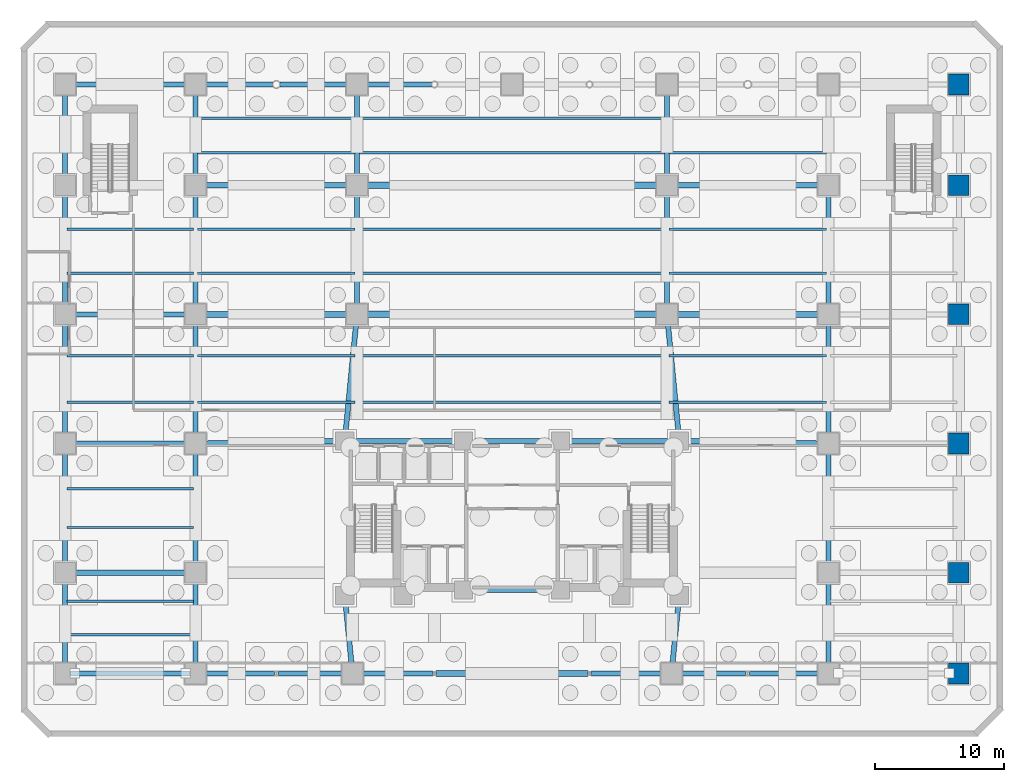
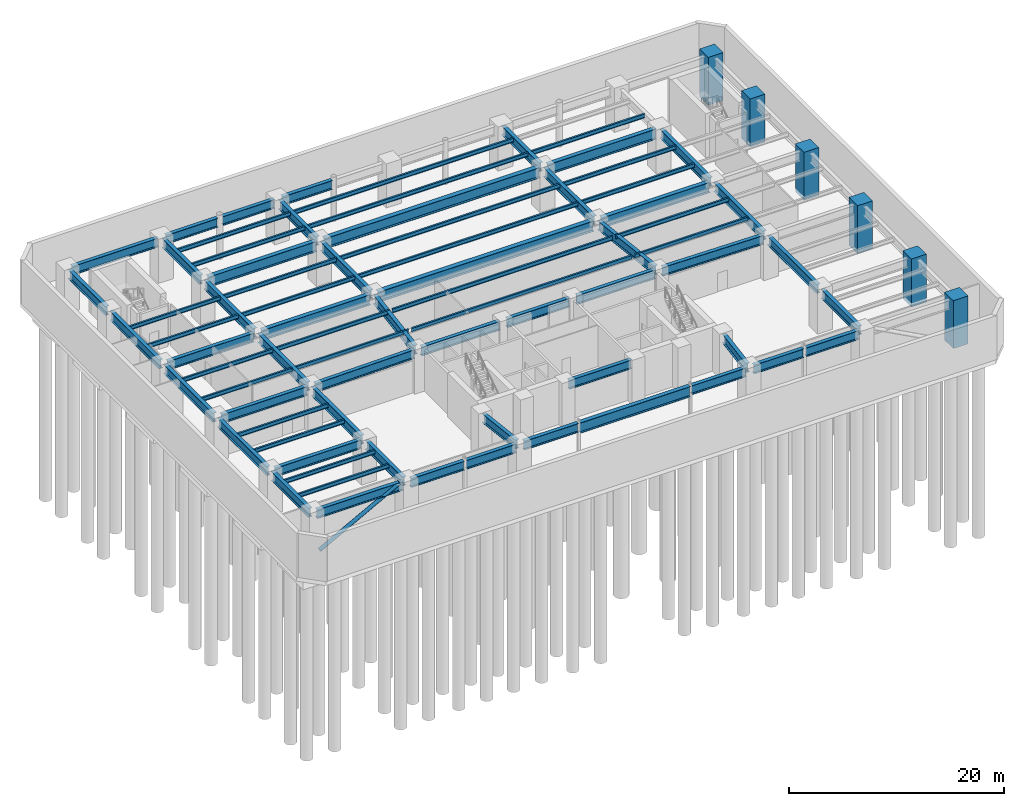
# One storey, part 6 of 15: 74 beams, 6 columns, 1 member.
"""IFC4 building model written with IfcOpenShell, lengths in metres."""

from ifc_helpers import new_model, si_unit, direction, frame, origin, origin_2d, place, context, subcontext, project, spatial, rectangle, hollow_circle, i_section, extrude, material, material_profile, profile_set, type_object, element, save


model = new_model("IFC4")

# Units and contexts
model_context = context("Model", 3, precision=1e-05, world=origin(), true_north=direction((0.0, 1.0)))
body_context = subcontext(model_context, "Body", "Model", "MODEL_VIEW")
ifc_project = project(units=[si_unit("LENGTHUNIT", "METRE"), si_unit("AREAUNIT", "SQUARE_METRE"), si_unit("VOLUMEUNIT", "CUBIC_METRE"), si_unit("PLANEANGLEUNIT", "RADIAN"), si_unit("MASSUNIT", "GRAM", prefix="KILO")], contexts=[model_context])

# Site, building, storey
site_placement = place(None, origin())
site = spatial("IfcSite", under=ifc_project, at=site_placement, CompositionType="ELEMENT")
building_placement = place(site_placement, origin())
building = spatial("IfcBuilding", under=site, at=building_placement, Name="Quenlor Broadcast Tower", CompositionType="ELEMENT")
storey_placement = place(building_placement, frame((0.0, 0.0, -10.0)))
storey = spatial("IfcBuildingStorey", under=building, at=storey_placement, Name="B02", CompositionType="ELEMENT", Elevation=-10.0)

# Columns
ifc_material_1 = material(Name="Concrete C65/80", Category="concrete")
ifc_material_profile_1 = material_profile(ifc_material_1, rectangle(XDim=1.60009765625, YDim=1.60009765625, at=origin_2d()))
ifc_profile_set_1 = profile_set([ifc_material_profile_1], Name="Concrete C65/80 RC1600x1600")
column_type = type_object("IfcColumnType", Name="Podium Mega Column Concrete C65/80 1600", PredefinedType="COLUMN", material=ifc_profile_set_1)
for number, where, z_axis, x_axis, name in (
    (1, (34.60009765625, -22.800048828125, -0.449951171875), (0.0, 0.0, 1.0), (1.0, 0.0, 0.0), "B02 Podium Mega Column PM6"),
    (2, (34.60009765625, -15.0, -0.449951171875), (0.0, 0.0, 1.0), (1.0, 0.0, 0.0), "B02 Podium Mega Column PM10"),
    (3, (34.60009765625, -5.0, -0.449951171875), (0.0, 0.0, 1.0), (1.0, 0.0, 0.0), "B02 Podium Mega Column PM14"),
    (4, (34.60009765625, 5.0, -0.449951171875), (0.0, 0.0, 1.0), (1.0, 0.0, 0.0), "B02 Podium Mega Column PM20"),
    (5, (34.60009765625, 15.0, -0.449951171875), (0.0, 0.0, 1.0), (1.0, 0.0, 0.0), "B02 Podium Mega Column PM26"),
    (6, (34.60009765625, 22.800048828125, -0.449951171875), (0.0, 0.0, 1.0), (1.0, 0.0, 0.0), "B02 Podium Mega Column PM33"),
):
    element("IfcColumn", number, at=place(storey_placement, frame(where, z_axis=z_axis, x_axis=x_axis)), inside=storey, type_object=column_type, Name=name, PredefinedType="COLUMN", context=body_context, shape_type="SweptSolid", body=[
        extrude(rectangle(XDim=1.60009765625, YDim=1.60009765625, at=origin_2d()), origin(), (0.0, 0.0, 1.0), 5.449951171875),
    ])

# Member
ifc_material_2 = material(Name="Steel S355", Category="steel")
ifc_material_profile_2 = material_profile(ifc_material_2, hollow_circle(Radius=0.203125, WallThickness=0.01611328125, at=origin_2d()))
ifc_profile_set_2 = profile_set([ifc_material_profile_2], Name="Steel S355 CHS406x16")
member_type = type_object("IfcMemberType", Name="Basement Lateral Brace Steel S355 CHS406", PredefinedType="BRACE", material=ifc_profile_set_2)
member_placement = place(storey_placement, frame((-33.840087890625, -22.800048828125, -0.10009765625), z_axis=(0.880467882066, 0.0, 0.474105799005), x_axis=(0.0, 1.0, 0.0)))
element("IfcMember", 7, at=member_placement, inside=storey, type_object=member_type, Name="B02 Basement Lateral Brace PM1", PredefinedType="BRACE", context=body_context, shape_type="SweptSolid", body=[
    extrude(hollow_circle(Radius=0.203125, WallThickness=0.01611328125, at=origin_2d()), origin(), (0.0, 0.0, 1.0), 9.744873046875),
])

# Beams
ifc_material_3 = material(Name="Steel S355", Category="steel")
ifc_material_profile_3 = material_profile(ifc_material_3, i_section(OverallWidth=0.39990234375, OverallDepth=1.02392578125, WebThickness=0.01611328125, FlangeThickness=0.031982421875, FilletRadius=0.01611328125, at=origin_2d()))
ifc_profile_set_3 = profile_set([ifc_material_profile_3], Name="Steel S355 1000WB322")
beam_type_1 = type_object("IfcBeamType", Name="Podium Concourse Girder Steel S355 1000WB322", PredefinedType="BEAM", material=ifc_profile_set_3)
beam_1_placement = place(storey_placement, frame((-34.179931640625, -22.800048828125, 4.16796875), z_axis=(1.0, 0.0, 0.0), x_axis=(0.0, 1.0, 0.0)))
element("IfcBeam", 8, at=beam_1_placement, inside=storey, type_object=beam_type_1, Name="B02 Podium Girder 1", PredefinedType="BEAM", context=body_context, shape_type="SweptSolid", body=[
    extrude(i_section(OverallWidth=0.39990234375, OverallDepth=1.02392578125, WebThickness=0.01611328125, FlangeThickness=0.031982421875, FilletRadius=0.01611328125, at=origin_2d()), origin(), (0.0, 0.0, 1.0), 9.260009765625),
])
beam_2_placement = place(storey_placement, frame((-24.080078125, -22.800048828125, 4.16796875), z_axis=(1.0, 0.0, 0.0), x_axis=(0.0, 1.0, 0.0)))
element("IfcBeam", 9, at=beam_2_placement, inside=storey, type_object=beam_type_1, Name="B02 Podium Girder 2", PredefinedType="BEAM", context=body_context, shape_type="SweptSolid", body=[
    extrude(i_section(OverallWidth=0.39990234375, OverallDepth=1.02392578125, WebThickness=0.01611328125, FlangeThickness=0.031982421875, FilletRadius=0.01611328125, at=origin_2d()), origin(), (0.0, 0.0, 1.0), 5.694580078125),
])
beam_3_placement = place(storey_placement, frame((-18.114501953125, -22.800048828125, 4.16796875), z_axis=(1.0, 0.0, 0.0), x_axis=(0.0, 1.0, 0.0)))
element("IfcBeam", 10, at=beam_3_placement, inside=storey, type_object=beam_type_1, Name="B02 Podium Girder 3", PredefinedType="BEAM", context=body_context, shape_type="SweptSolid", body=[
    extrude(i_section(OverallWidth=0.39990234375, OverallDepth=1.02392578125, WebThickness=0.01611328125, FlangeThickness=0.031982421875, FilletRadius=0.01611328125, at=origin_2d()), origin(), (0.0, 0.0, 1.0), 5.344482421875),
])
for number, where, z_axis, x_axis, name in (
    (11, (-11.929931640625, -22.800048828125, 4.16796875), (1.0, 0.0, 0.0), (0.0, 1.0, 0.0), "B02 Podium Girder 4"),
    (12, (6.10791015625, -22.800048828125, 4.16796875), (1.0, 0.0, 0.0), (0.0, 1.0, 0.0), "B02 Podium Girder 6"),
):
    element("IfcBeam", number, at=place(storey_placement, frame(where, z_axis=z_axis, x_axis=x_axis)), inside=storey, type_object=beam_type_1, Name=name, PredefinedType="BEAM", context=body_context, shape_type="SweptSolid", body=[
        extrude(i_section(OverallWidth=0.39990234375, OverallDepth=1.02392578125, WebThickness=0.01611328125, FlangeThickness=0.031982421875, FilletRadius=0.01611328125, at=origin_2d()), origin(), (0.0, 0.0, 1.0), 5.822021484375),
    ])
beam_4_placement = place(storey_placement, frame((12.77001953125, -22.800048828125, 4.16796875), z_axis=(1.0, 0.0, 0.0), x_axis=(0.0, 1.0, 0.0)))
element("IfcBeam", 13, at=beam_4_placement, inside=storey, type_object=beam_type_1, Name="B02 Podium Girder 7", PredefinedType="BEAM", context=body_context, shape_type="SweptSolid", body=[
    extrude(i_section(OverallWidth=0.39990234375, OverallDepth=1.02392578125, WebThickness=0.01611328125, FlangeThickness=0.031982421875, FilletRadius=0.01611328125, at=origin_2d()), origin(), (0.0, 0.0, 1.0), 5.345458984375),
])
beam_5_placement = place(storey_placement, frame((18.384521484375, -22.800048828125, 4.16796875), z_axis=(1.0, 0.0, 0.0), x_axis=(0.0, 1.0, 0.0)))
element("IfcBeam", 14, at=beam_5_placement, inside=storey, type_object=beam_type_1, Name="B02 Podium Girder 8", PredefinedType="BEAM", context=body_context, shape_type="SweptSolid", body=[
    extrude(i_section(OverallWidth=0.39990234375, OverallDepth=1.02392578125, WebThickness=0.01611328125, FlangeThickness=0.031982421875, FilletRadius=0.01611328125, at=origin_2d()), origin(), (0.0, 0.0, 1.0), 5.695556640625),
])
for number, where, z_axis, x_axis, name in (
    (15, (-34.179931640625, -15.0, 4.16796875), (1.0, 0.0, 0.0), (0.0, 1.0, 0.0), "B02 Podium Girder 10"),
    (16, (-34.179931640625, -5.0, 4.16796875), (1.0, 0.0, 0.0), (0.0, 1.0, 0.0), "B02 Podium Girder 12"),
    (17, (-34.179931640625, 5.0, 4.16796875), (1.0, 0.0, 0.0), (0.0, 1.0, 0.0), "B02 Podium Girder 14"),
    (18, (-34.179931640625, 22.800048828125, 4.16796875), (1.0, 0.0, 0.0), (0.0, 1.0, 0.0), "B02 Podium Girder 24"),
):
    element("IfcBeam", number, at=place(storey_placement, frame(where, z_axis=z_axis, x_axis=x_axis)), inside=storey, type_object=beam_type_1, Name=name, PredefinedType="BEAM", context=body_context, shape_type="SweptSolid", body=[
        extrude(i_section(OverallWidth=0.39990234375, OverallDepth=1.02392578125, WebThickness=0.01611328125, FlangeThickness=0.031982421875, FilletRadius=0.01611328125, at=origin_2d()), origin(), (0.0, 0.0, 1.0), 9.260009765625),
    ])
for number, where, z_axis, x_axis, name in (
    (19, (-24.080078125, 22.800048828125, 4.16796875), (1.0, 0.0, 0.0), (0.0, 1.0, 0.0), "B02 Podium Girder 25"),
    (20, (-17.965087890625, 22.800048828125, 4.16796875), (1.0, 0.0, 0.0), (0.0, 1.0, 0.0), "B02 Podium Girder 26"),
):
    element("IfcBeam", number, at=place(storey_placement, frame(where, z_axis=z_axis, x_axis=x_axis)), inside=storey, type_object=beam_type_1, Name=name, PredefinedType="BEAM", context=body_context, shape_type="SweptSolid", body=[
        extrude(i_section(OverallWidth=0.39990234375, OverallDepth=1.02392578125, WebThickness=0.01611328125, FlangeThickness=0.031982421875, FilletRadius=0.01611328125, at=origin_2d()), origin(), (0.0, 0.0, 1.0), 5.545166015625),
    ])
beam_6_placement = place(storey_placement, frame((-11.580078125, 22.800048828125, 4.16796875), z_axis=(1.0, 0.0, 0.0), x_axis=(0.0, 1.0, 0.0)))
element("IfcBeam", 21, at=beam_6_placement, inside=storey, type_object=beam_type_1, Name="B02 Podium Girder 27", PredefinedType="BEAM", context=body_context, shape_type="SweptSolid", body=[
    extrude(i_section(OverallWidth=0.39990234375, OverallDepth=1.02392578125, WebThickness=0.01611328125, FlangeThickness=0.031982421875, FilletRadius=0.01611328125, at=origin_2d()), origin(), (0.0, 0.0, 1.0), 5.34619140625),
])
beam_7_placement = place(storey_placement, frame((-34.60009765625, -22.3798828125, 4.16796875), z_axis=(0.0, 1.0, 0.0), x_axis=(-1.0, 0.0, 0.0)))
element("IfcBeam", 22, at=beam_7_placement, inside=storey, type_object=beam_type_1, Name="B02 Podium Girder 34", PredefinedType="BEAM", context=body_context, shape_type="SweptSolid", body=[
    extrude(i_section(OverallWidth=0.39990234375, OverallDepth=1.02392578125, WebThickness=0.01611328125, FlangeThickness=0.031982421875, FilletRadius=0.01611328125, at=origin_2d()), origin(), (0.0, 0.0, 1.0), 6.9599609375),
])
for number, where, z_axis, x_axis, name in (
    (23, (-34.60009765625, -14.580078125, 4.16796875), (0.0, 1.0, 0.0), (-1.0, 0.0, 0.0), "B02 Podium Girder 35"),
    (24, (-34.60009765625, -4.580078125, 4.16796875), (0.0, 1.0, 0.0), (-1.0, 0.0, 0.0), "B02 Podium Girder 36"),
    (25, (-34.60009765625, 5.419921875, 4.16796875), (0.0, 1.0, 0.0), (-1.0, 0.0, 0.0), "B02 Podium Girder 37"),
):
    element("IfcBeam", number, at=place(storey_placement, frame(where, z_axis=z_axis, x_axis=x_axis)), inside=storey, type_object=beam_type_1, Name=name, PredefinedType="BEAM", context=body_context, shape_type="SweptSolid", body=[
        extrude(i_section(OverallWidth=0.39990234375, OverallDepth=1.02392578125, WebThickness=0.01611328125, FlangeThickness=0.031982421875, FilletRadius=0.01611328125, at=origin_2d()), origin(), (0.0, 0.0, 1.0), 9.16015625),
    ])
for number, where, z_axis, x_axis, name in (
    (26, (-34.60009765625, 15.419921875, 4.16796875), (0.0, 1.0, 0.0), (-1.0, 0.0, 0.0), "B02 Podium Girder 38"),
    (27, (-24.5, -22.3798828125, 4.16796875), (0.0, 1.0, 0.0), (-1.0, 0.0, 0.0), "B02 Podium Girder 39"),
):
    element("IfcBeam", number, at=place(storey_placement, frame(where, z_axis=z_axis, x_axis=x_axis)), inside=storey, type_object=beam_type_1, Name=name, PredefinedType="BEAM", context=body_context, shape_type="SweptSolid", body=[
        extrude(i_section(OverallWidth=0.39990234375, OverallDepth=1.02392578125, WebThickness=0.01611328125, FlangeThickness=0.031982421875, FilletRadius=0.01611328125, at=origin_2d()), origin(), (0.0, 0.0, 1.0), 6.9599609375),
    ])
for number, where, z_axis, x_axis, name in (
    (28, (-24.5, -14.580078125, 4.16796875), (0.0, 1.0, 0.0), (-1.0, 0.0, 0.0), "B02 Podium Girder 40"),
    (29, (-24.5, -4.580078125, 4.16796875), (0.0, 1.0, 0.0), (-1.0, 0.0, 0.0), "B02 Podium Girder 41"),
    (30, (-24.5, 5.419921875, 4.16796875), (0.0, 1.0, 0.0), (-1.0, 0.0, 0.0), "B02 Podium Girder 42"),
):
    element("IfcBeam", number, at=place(storey_placement, frame(where, z_axis=z_axis, x_axis=x_axis)), inside=storey, type_object=beam_type_1, Name=name, PredefinedType="BEAM", context=body_context, shape_type="SweptSolid", body=[
        extrude(i_section(OverallWidth=0.39990234375, OverallDepth=1.02392578125, WebThickness=0.01611328125, FlangeThickness=0.031982421875, FilletRadius=0.01611328125, at=origin_2d()), origin(), (0.0, 0.0, 1.0), 9.16015625),
    ])
for number, where, z_axis, x_axis, name in (
    (31, (-24.5, 15.419921875, 4.16796875), (0.0, 1.0, 0.0), (-1.0, 0.0, 0.0), "B02 Podium Girder 43"),
    (32, (24.5, -22.3798828125, 4.16796875), (0.0, 1.0, 0.0), (-1.0, 0.0, 0.0), "B02 Podium Girder 44"),
):
    element("IfcBeam", number, at=place(storey_placement, frame(where, z_axis=z_axis, x_axis=x_axis)), inside=storey, type_object=beam_type_1, Name=name, PredefinedType="BEAM", context=body_context, shape_type="SweptSolid", body=[
        extrude(i_section(OverallWidth=0.39990234375, OverallDepth=1.02392578125, WebThickness=0.01611328125, FlangeThickness=0.031982421875, FilletRadius=0.01611328125, at=origin_2d()), origin(), (0.0, 0.0, 1.0), 6.9599609375),
    ])
for number, where, z_axis, x_axis, name in (
    (33, (24.5, -14.580078125, 4.16796875), (0.0, 1.0, 0.0), (-1.0, 0.0, 0.0), "B02 Podium Girder 45"),
    (34, (24.5, -4.580078125, 4.16796875), (0.0, 1.0, 0.0), (-1.0, 0.0, 0.0), "B02 Podium Girder 46"),
    (35, (24.5, 5.419921875, 4.16796875), (0.0, 1.0, 0.0), (-1.0, 0.0, 0.0), "B02 Podium Girder 47"),
    (36, (-12.0, 5.419921875, 4.16796875), (0.0, 1.0, 0.0), (-1.0, 0.0, 0.0), "B02 Podium Girder 54"),
):
    element("IfcBeam", number, at=place(storey_placement, frame(where, z_axis=z_axis, x_axis=x_axis)), inside=storey, type_object=beam_type_1, Name=name, PredefinedType="BEAM", context=body_context, shape_type="SweptSolid", body=[
        extrude(i_section(OverallWidth=0.39990234375, OverallDepth=1.02392578125, WebThickness=0.01611328125, FlangeThickness=0.031982421875, FilletRadius=0.01611328125, at=origin_2d()), origin(), (0.0, 0.0, 1.0), 9.16015625),
    ])
beam_8_placement = place(storey_placement, frame((-12.0, 15.419921875, 4.16796875), z_axis=(0.0, 1.0, 0.0), x_axis=(-1.0, 0.0, 0.0)))
element("IfcBeam", 37, at=beam_8_placement, inside=storey, type_object=beam_type_1, Name="B02 Podium Girder 55", PredefinedType="BEAM", context=body_context, shape_type="SweptSolid", body=[
    extrude(i_section(OverallWidth=0.39990234375, OverallDepth=1.02392578125, WebThickness=0.01611328125, FlangeThickness=0.031982421875, FilletRadius=0.01611328125, at=origin_2d()), origin(), (0.0, 0.0, 1.0), 6.9599609375),
])
beam_9_placement = place(storey_placement, frame((12.0, 5.419921875, 4.16796875), z_axis=(0.0, 1.0, 0.0), x_axis=(-1.0, 0.0, 0.0)))
element("IfcBeam", 38, at=beam_9_placement, inside=storey, type_object=beam_type_1, Name="B02 Podium Girder 56", PredefinedType="BEAM", context=body_context, shape_type="SweptSolid", body=[
    extrude(i_section(OverallWidth=0.39990234375, OverallDepth=1.02392578125, WebThickness=0.01611328125, FlangeThickness=0.031982421875, FilletRadius=0.01611328125, at=origin_2d()), origin(), (0.0, 0.0, 1.0), 9.16015625),
])
beam_10_placement = place(storey_placement, frame((12.0, 15.419921875, 4.16796875), z_axis=(0.0, 1.0, 0.0), x_axis=(-1.0, 0.0, 0.0)))
element("IfcBeam", 39, at=beam_10_placement, inside=storey, type_object=beam_type_1, Name="B02 Podium Girder 57", PredefinedType="BEAM", context=body_context, shape_type="SweptSolid", body=[
    extrude(i_section(OverallWidth=0.39990234375, OverallDepth=1.02392578125, WebThickness=0.01611328125, FlangeThickness=0.031982421875, FilletRadius=0.01611328125, at=origin_2d()), origin(), (0.0, 0.0, 1.0), 6.9599609375),
])
for number, where, z_axis, x_axis, name in (
    (40, (-12.913330078125, -4.421875, 4.16796875), (0.096489068192, 0.995334044288, 0.0), (-0.995334044288, 0.096489068192, 0.0), "B02 Podium Concourse Girder 1"),
    (41, (12.913330078125, -4.421875, 4.16796875), (-0.096489068192, 0.995334044288, 0.0), (-0.995334044288, -0.096489068192, 0.0), "B02 Podium Concourse Girder 2"),
):
    element("IfcBeam", number, at=place(storey_placement, frame(where, z_axis=z_axis, x_axis=x_axis)), inside=storey, type_object=beam_type_1, Name=name, PredefinedType="BEAM", context=body_context, shape_type="SweptSolid", body=[
        extrude(i_section(OverallWidth=0.39990234375, OverallDepth=1.02392578125, WebThickness=0.01611328125, FlangeThickness=0.031982421875, FilletRadius=0.01611328125, at=origin_2d()), origin(), (0.0, 0.0, 1.0), 9.086181640625),
    ])
for number, where, z_axis, x_axis, name in (
    (42, (-12.91259765625, -17.128173828125, 4.16796875), (0.098717586069, -0.995115489881, 0.0), (0.995115489881, 0.098717586069, 0.0), "B02 Podium Concourse Girder 3"),
    (43, (12.91259765625, -17.128173828125, 4.16796875), (-0.098717586069, -0.995115489881, 0.0), (0.995115489881, -0.098717586069, 0.0), "B02 Podium Concourse Girder 4"),
):
    element("IfcBeam", number, at=place(storey_placement, frame(where, z_axis=z_axis, x_axis=x_axis)), inside=storey, type_object=beam_type_1, Name=name, PredefinedType="BEAM", context=body_context, shape_type="SweptSolid", body=[
        extrude(i_section(OverallWidth=0.39990234375, OverallDepth=1.02392578125, WebThickness=0.01611328125, FlangeThickness=0.031982421875, FilletRadius=0.01611328125, at=origin_2d()), origin(), (0.0, 0.0, 1.0), 5.319580078125),
    ])
for number, where, z_axis, x_axis, name in (
    (44, (-13.329833984375, -4.806640625, 4.16796875), (-0.999850235211, -0.017306274859, 0.0), (0.017306274859, -0.999850235211, 0.0), "B02 Podium Concourse Girder 5"),
    (45, (13.329833984375, -4.806640625, 4.16796875), (0.999850235211, -0.017306274859, 0.0), (0.017306274859, 0.999850235211, 0.0), "B02 Podium Concourse Girder 6"),
):
    element("IfcBeam", number, at=place(storey_placement, frame(where, z_axis=z_axis, x_axis=x_axis)), inside=storey, type_object=beam_type_1, Name=name, PredefinedType="BEAM", context=body_context, shape_type="SweptSolid", body=[
        extrude(i_section(OverallWidth=0.39990234375, OverallDepth=1.02392578125, WebThickness=0.01611328125, FlangeThickness=0.031982421875, FilletRadius=0.01611328125, at=origin_2d()), origin(), (0.0, 0.0, 1.0), 10.7919921875),
    ])
for number, where, z_axis, x_axis, name in (
    (46, (-3.3701171875, -4.800048828125, 4.16796875), (1.0, 0.0, 0.0), (0.0, 1.0, 0.0), "B02 Podium Concourse Girder 7"),
    (47, (-3.3701171875, -16.35009765625, 4.16796875), (1.0, 0.0, 0.0), (0.0, 1.0, 0.0), "B02 Podium Concourse Girder 8"),
):
    element("IfcBeam", number, at=place(storey_placement, frame(where, z_axis=z_axis, x_axis=x_axis)), inside=storey, type_object=beam_type_1, Name=name, PredefinedType="BEAM", context=body_context, shape_type="SweptSolid", body=[
        extrude(i_section(OverallWidth=0.39990234375, OverallDepth=1.02392578125, WebThickness=0.01611328125, FlangeThickness=0.031982421875, FilletRadius=0.01611328125, at=origin_2d()), origin(), (0.0, 0.0, 1.0), 6.740234375),
    ])
for number, where, z_axis, x_axis, name in (
    (48, (-12.570068359375, -4.800048828125, 4.16796875), (1.0, 0.0, 0.0), (0.0, 1.0, 0.0), "B02 Podium Concourse Girder 9"),
    (49, (4.1298828125, -4.800048828125, 4.16796875), (1.0, 0.0, 0.0), (0.0, 1.0, 0.0), "B02 Podium Concourse Girder 10"),
):
    element("IfcBeam", number, at=place(storey_placement, frame(where, z_axis=z_axis, x_axis=x_axis)), inside=storey, type_object=beam_type_1, Name=name, PredefinedType="BEAM", context=body_context, shape_type="SweptSolid", body=[
        extrude(i_section(OverallWidth=0.39990234375, OverallDepth=1.02392578125, WebThickness=0.01611328125, FlangeThickness=0.031982421875, FilletRadius=0.01611328125, at=origin_2d()), origin(), (0.0, 0.0, 1.0), 8.440185546875),
    ])
ifc_material_4 = material(Name="Steel S355", Category="steel")
ifc_material_profile_4 = material_profile(ifc_material_4, i_section(OverallWidth=0.18994140625, OverallDepth=0.453857421875, WebThickness=0.008544921875, FlangeThickness=0.0126953125, FilletRadius=0.011474609375, at=origin_2d()))
ifc_profile_set_4 = profile_set([ifc_material_profile_4], Name="Steel S355 460UB67.1")
beam_type_2 = type_object("IfcBeamType", Name="Podium Floor Joist Steel S355 460UB67.1", PredefinedType="JOIST", material=ifc_profile_set_4)
beam_11_placement = place(storey_placement, frame((-34.43994140625, 8.199951171875, 4.453125), z_axis=(1.0, 0.0, 0.0), x_axis=(0.0, 1.0, 0.0)))
element("IfcBeam", 50, at=beam_11_placement, inside=storey, type_object=beam_type_2, Name="B02 Podium Floor Joist 1", PredefinedType="JOIST", context=body_context, shape_type="SweptSolid", body=[
    extrude(i_section(OverallWidth=0.18994140625, OverallDepth=0.453857421875, WebThickness=0.008544921875, FlangeThickness=0.0126953125, FilletRadius=0.011474609375, at=origin_2d()), origin(), (0.0, 0.0, 1.0), 9.780029296875),
])
beam_12_placement = place(storey_placement, frame((-24.340087890625, 8.199951171875, 4.453125), z_axis=(1.0, 0.0, 0.0), x_axis=(0.0, 1.0, 0.0)))
element("IfcBeam", 51, at=beam_12_placement, inside=storey, type_object=beam_type_2, Name="B02 Podium Floor Joist 2", PredefinedType="JOIST", context=body_context, shape_type="SweptSolid", body=[
    extrude(i_section(OverallWidth=0.18994140625, OverallDepth=0.453857421875, WebThickness=0.008544921875, FlangeThickness=0.0126953125, FilletRadius=0.011474609375, at=origin_2d()), origin(), (0.0, 0.0, 1.0), 12.18017578125),
])
beam_13_placement = place(storey_placement, frame((-11.840087890625, 8.199951171875, 4.453125), z_axis=(1.0, 0.0, 0.0), x_axis=(0.0, 1.0, 0.0)))
element("IfcBeam", 52, at=beam_13_placement, inside=storey, type_object=beam_type_2, Name="B02 Podium Floor Joist 3", PredefinedType="JOIST", context=body_context, shape_type="SweptSolid", body=[
    extrude(i_section(OverallWidth=0.18994140625, OverallDepth=0.453857421875, WebThickness=0.008544921875, FlangeThickness=0.0126953125, FilletRadius=0.011474609375, at=origin_2d()), origin(), (0.0, 0.0, 1.0), 23.68017578125),
])
beam_14_placement = place(storey_placement, frame((12.159912109375, 8.199951171875, 4.453125), z_axis=(1.0, 0.0, 0.0), x_axis=(0.0, 1.0, 0.0)))
element("IfcBeam", 53, at=beam_14_placement, inside=storey, type_object=beam_type_2, Name="B02 Podium Floor Joist 4", PredefinedType="JOIST", context=body_context, shape_type="SweptSolid", body=[
    extrude(i_section(OverallWidth=0.18994140625, OverallDepth=0.453857421875, WebThickness=0.008544921875, FlangeThickness=0.0126953125, FilletRadius=0.011474609375, at=origin_2d()), origin(), (0.0, 0.0, 1.0), 12.18017578125),
])
beam_15_placement = place(storey_placement, frame((-34.43994140625, 11.60009765625, 4.453125), z_axis=(1.0, 0.0, 0.0), x_axis=(0.0, 1.0, 0.0)))
element("IfcBeam", 54, at=beam_15_placement, inside=storey, type_object=beam_type_2, Name="B02 Podium Floor Joist 6", PredefinedType="JOIST", context=body_context, shape_type="SweptSolid", body=[
    extrude(i_section(OverallWidth=0.18994140625, OverallDepth=0.453857421875, WebThickness=0.008544921875, FlangeThickness=0.0126953125, FilletRadius=0.011474609375, at=origin_2d()), origin(), (0.0, 0.0, 1.0), 9.780029296875),
])
beam_16_placement = place(storey_placement, frame((-24.340087890625, 11.60009765625, 4.453125), z_axis=(1.0, 0.0, 0.0), x_axis=(0.0, 1.0, 0.0)))
element("IfcBeam", 55, at=beam_16_placement, inside=storey, type_object=beam_type_2, Name="B02 Podium Floor Joist 7", PredefinedType="JOIST", context=body_context, shape_type="SweptSolid", body=[
    extrude(i_section(OverallWidth=0.18994140625, OverallDepth=0.453857421875, WebThickness=0.008544921875, FlangeThickness=0.0126953125, FilletRadius=0.011474609375, at=origin_2d()), origin(), (0.0, 0.0, 1.0), 12.18017578125),
])
beam_17_placement = place(storey_placement, frame((-11.840087890625, 11.60009765625, 4.453125), z_axis=(1.0, 0.0, 0.0), x_axis=(0.0, 1.0, 0.0)))
element("IfcBeam", 56, at=beam_17_placement, inside=storey, type_object=beam_type_2, Name="B02 Podium Floor Joist 8", PredefinedType="JOIST", context=body_context, shape_type="SweptSolid", body=[
    extrude(i_section(OverallWidth=0.18994140625, OverallDepth=0.453857421875, WebThickness=0.008544921875, FlangeThickness=0.0126953125, FilletRadius=0.011474609375, at=origin_2d()), origin(), (0.0, 0.0, 1.0), 23.68017578125),
])
for number, where, z_axis, x_axis, name in (
    (57, (12.159912109375, 11.60009765625, 4.453125), (1.0, 0.0, 0.0), (0.0, 1.0, 0.0), "B02 Podium Floor Joist 9"),
    (58, (-24.340087890625, 17.5, 4.453125), (1.0, 0.0, 0.0), (0.0, 1.0, 0.0), "B02 Podium Floor Joist 12"),
):
    element("IfcBeam", number, at=place(storey_placement, frame(where, z_axis=z_axis, x_axis=x_axis)), inside=storey, type_object=beam_type_2, Name=name, PredefinedType="JOIST", context=body_context, shape_type="SweptSolid", body=[
        extrude(i_section(OverallWidth=0.18994140625, OverallDepth=0.453857421875, WebThickness=0.008544921875, FlangeThickness=0.0126953125, FilletRadius=0.011474609375, at=origin_2d()), origin(), (0.0, 0.0, 1.0), 12.18017578125),
    ])
beam_18_placement = place(storey_placement, frame((-11.840087890625, 17.5, 4.453125), z_axis=(1.0, 0.0, 0.0), x_axis=(0.0, 1.0, 0.0)))
element("IfcBeam", 59, at=beam_18_placement, inside=storey, type_object=beam_type_2, Name="B02 Podium Floor Joist 13", PredefinedType="JOIST", context=body_context, shape_type="SweptSolid", body=[
    extrude(i_section(OverallWidth=0.18994140625, OverallDepth=0.453857421875, WebThickness=0.008544921875, FlangeThickness=0.0126953125, FilletRadius=0.011474609375, at=origin_2d()), origin(), (0.0, 0.0, 1.0), 23.68017578125),
])
for number, where, z_axis, x_axis, name in (
    (60, (12.159912109375, 17.5, 4.453125), (1.0, 0.0, 0.0), (0.0, 1.0, 0.0), "B02 Podium Floor Joist 14"),
    (61, (-24.340087890625, 20.199951171875, 4.453125), (1.0, 0.0, 0.0), (0.0, 1.0, 0.0), "B02 Podium Floor Joist 17"),
):
    element("IfcBeam", number, at=place(storey_placement, frame(where, z_axis=z_axis, x_axis=x_axis)), inside=storey, type_object=beam_type_2, Name=name, PredefinedType="JOIST", context=body_context, shape_type="SweptSolid", body=[
        extrude(i_section(OverallWidth=0.18994140625, OverallDepth=0.453857421875, WebThickness=0.008544921875, FlangeThickness=0.0126953125, FilletRadius=0.011474609375, at=origin_2d()), origin(), (0.0, 0.0, 1.0), 12.18017578125),
    ])
beam_19_placement = place(storey_placement, frame((-11.840087890625, 20.199951171875, 4.453125), z_axis=(1.0, 0.0, 0.0), x_axis=(0.0, 1.0, 0.0)))
element("IfcBeam", 62, at=beam_19_placement, inside=storey, type_object=beam_type_2, Name="B02 Podium Floor Joist 18", PredefinedType="JOIST", context=body_context, shape_type="SweptSolid", body=[
    extrude(i_section(OverallWidth=0.18994140625, OverallDepth=0.453857421875, WebThickness=0.008544921875, FlangeThickness=0.0126953125, FilletRadius=0.011474609375, at=origin_2d()), origin(), (0.0, 0.0, 1.0), 23.68017578125),
])
for number, where, z_axis, x_axis, name in (
    (63, (-34.43994140625, -19.800048828125, 4.453125), (1.0, 0.0, 0.0), (0.0, 1.0, 0.0), "B02 Podium Floor Joist 21"),
    (64, (-34.43994140625, -17.199951171875, 4.453125), (1.0, 0.0, 0.0), (0.0, 1.0, 0.0), "B02 Podium Floor Joist 23"),
    (65, (-34.43994140625, -11.5, 4.453125), (1.0, 0.0, 0.0), (0.0, 1.0, 0.0), "B02 Podium Floor Joist 25"),
    (66, (-34.43994140625, -8.5, 4.453125), (1.0, 0.0, 0.0), (0.0, 1.0, 0.0), "B02 Podium Floor Joist 27"),
    (67, (-34.43994140625, -1.800048828125, 4.453125), (1.0, 0.0, 0.0), (0.0, 1.0, 0.0), "B02 Podium Floor Joist 29"),
    (68, (-34.43994140625, 1.800048828125, 4.453125), (1.0, 0.0, 0.0), (0.0, 1.0, 0.0), "B02 Podium Floor Joist 31"),
):
    element("IfcBeam", number, at=place(storey_placement, frame(where, z_axis=z_axis, x_axis=x_axis)), inside=storey, type_object=beam_type_2, Name=name, PredefinedType="JOIST", context=body_context, shape_type="SweptSolid", body=[
        extrude(i_section(OverallWidth=0.18994140625, OverallDepth=0.453857421875, WebThickness=0.008544921875, FlangeThickness=0.0126953125, FilletRadius=0.011474609375, at=origin_2d()), origin(), (0.0, 0.0, 1.0), 9.780029296875),
    ])
beam_20_placement = place(storey_placement, frame((-24.340087890625, -1.800048828125, 4.453125), z_axis=(1.0, 0.0, 0.0), x_axis=(0.0, 1.0, 0.0)))
element("IfcBeam", 69, at=beam_20_placement, inside=storey, type_object=beam_type_2, Name="B02 Podium Floor Joist 33", PredefinedType="JOIST", context=body_context, shape_type="SweptSolid", body=[
    extrude(i_section(OverallWidth=0.18994140625, OverallDepth=0.453857421875, WebThickness=0.008544921875, FlangeThickness=0.0126953125, FilletRadius=0.011474609375, at=origin_2d()), origin(), (0.0, 0.0, 1.0), 12.18017578125),
])
beam_21_placement = place(storey_placement, frame((-11.840087890625, -1.800048828125, 4.453125), z_axis=(1.0, 0.0, 0.0), x_axis=(0.0, 1.0, 0.0)))
element("IfcBeam", 70, at=beam_21_placement, inside=storey, type_object=beam_type_2, Name="B02 Podium Floor Joist 34", PredefinedType="JOIST", context=body_context, shape_type="SweptSolid", body=[
    extrude(i_section(OverallWidth=0.18994140625, OverallDepth=0.453857421875, WebThickness=0.008544921875, FlangeThickness=0.0126953125, FilletRadius=0.011474609375, at=origin_2d()), origin(), (0.0, 0.0, 1.0), 23.68017578125),
])
for number, where, z_axis, x_axis, name in (
    (71, (12.159912109375, -1.800048828125, 4.453125), (1.0, 0.0, 0.0), (0.0, 1.0, 0.0), "B02 Podium Floor Joist 35"),
    (72, (-24.340087890625, 1.800048828125, 4.453125), (1.0, 0.0, 0.0), (0.0, 1.0, 0.0), "B02 Podium Floor Joist 36"),
):
    element("IfcBeam", number, at=place(storey_placement, frame(where, z_axis=z_axis, x_axis=x_axis)), inside=storey, type_object=beam_type_2, Name=name, PredefinedType="JOIST", context=body_context, shape_type="SweptSolid", body=[
        extrude(i_section(OverallWidth=0.18994140625, OverallDepth=0.453857421875, WebThickness=0.008544921875, FlangeThickness=0.0126953125, FilletRadius=0.011474609375, at=origin_2d()), origin(), (0.0, 0.0, 1.0), 12.18017578125),
    ])
beam_22_placement = place(storey_placement, frame((-11.840087890625, 1.800048828125, 4.453125), z_axis=(1.0, 0.0, 0.0), x_axis=(0.0, 1.0, 0.0)))
element("IfcBeam", 73, at=beam_22_placement, inside=storey, type_object=beam_type_2, Name="B02 Podium Floor Joist 37", PredefinedType="JOIST", context=body_context, shape_type="SweptSolid", body=[
    extrude(i_section(OverallWidth=0.18994140625, OverallDepth=0.453857421875, WebThickness=0.008544921875, FlangeThickness=0.0126953125, FilletRadius=0.011474609375, at=origin_2d()), origin(), (0.0, 0.0, 1.0), 23.68017578125),
])
beam_23_placement = place(storey_placement, frame((12.159912109375, 1.800048828125, 4.453125), z_axis=(1.0, 0.0, 0.0), x_axis=(0.0, 1.0, 0.0)))
element("IfcBeam", 74, at=beam_23_placement, inside=storey, type_object=beam_type_2, Name="B02 Podium Floor Joist 38", PredefinedType="JOIST", context=body_context, shape_type="SweptSolid", body=[
    extrude(i_section(OverallWidth=0.18994140625, OverallDepth=0.453857421875, WebThickness=0.008544921875, FlangeThickness=0.0126953125, FilletRadius=0.011474609375, at=origin_2d()), origin(), (0.0, 0.0, 1.0), 12.18017578125),
])
ifc_material_5 = material(Name="Steel S355", Category="steel")
ifc_material_profile_5 = material_profile(ifc_material_5, i_section(OverallWidth=0.5, OverallDepth=1.199951171875, WebThickness=0.02001953125, FlangeThickness=0.035888671875, FilletRadius=0.01611328125, at=origin_2d()))
ifc_profile_set_5 = profile_set([ifc_material_profile_5], Name="Steel S355 1200WB455")
beam_type_3 = type_object("IfcBeamType", Name="Podium Long Span Studio Girder Steel S355 1200WB455", PredefinedType="BEAM", material=ifc_profile_set_5)
for number, where, z_axis, x_axis, name in (
    (75, (-11.580078125, 5.0, 4.080078125), (1.0, 0.0, 0.0), (0.0, 1.0, 0.0), "B02 Podium Girder 16"),
    (76, (-11.580078125, 15.0, 4.080078125), (1.0, 0.0, 0.0), (0.0, 1.0, 0.0), "B02 Podium Girder 21"),
):
    element("IfcBeam", number, at=place(storey_placement, frame(where, z_axis=z_axis, x_axis=x_axis)), inside=storey, type_object=beam_type_3, Name=name, PredefinedType="BEAM", context=body_context, shape_type="SweptSolid", body=[
        extrude(i_section(OverallWidth=0.5, OverallDepth=1.199951171875, WebThickness=0.02001953125, FlangeThickness=0.035888671875, FilletRadius=0.01611328125, at=origin_2d()), origin(), (0.0, 0.0, 1.0), 23.16015625),
    ])
ifc_material_6 = material(Name="Steel S355", Category="steel")
ifc_material_profile_6 = material_profile(ifc_material_6, i_section(OverallWidth=0.449951171875, OverallDepth=1.18798828125, WebThickness=0.01806640625, FlangeThickness=0.031982421875, FilletRadius=0.01611328125, at=origin_2d()))
ifc_profile_set_6 = profile_set([ifc_material_profile_6], Name="Steel S355 1200WB392")
beam_type_4 = type_object("IfcBeamType", Name="Podium Secondary Studio Girder Steel S355 1200WB392", PredefinedType="BEAM", material=ifc_profile_set_6)
beam_24_placement = place(storey_placement, frame((-5.89208984375, -22.800048828125, 4.0859375), z_axis=(1.0, 0.0, 0.0), x_axis=(0.0, 1.0, 0.0)))
element("IfcBeam", 77, at=beam_24_placement, inside=storey, type_object=beam_type_4, Name="B02 Podium Girder 5", PredefinedType="BEAM", context=body_context, shape_type="SweptSolid", body=[
    extrude(i_section(OverallWidth=0.449951171875, OverallDepth=1.18798828125, WebThickness=0.01806640625, FlangeThickness=0.031982421875, FilletRadius=0.01611328125, at=origin_2d()), origin(), (0.0, 0.0, 1.0), 11.7841796875),
])
for number, where, z_axis, x_axis, name in (
    (78, (-24.080078125, 5.0, 4.0859375), (1.0, 0.0, 0.0), (0.0, 1.0, 0.0), "B02 Podium Girder 15"),
    (79, (12.419921875, 5.0, 4.0859375), (1.0, 0.0, 0.0), (0.0, 1.0, 0.0), "B02 Podium Girder 17"),
    (80, (-24.080078125, 15.0, 4.0859375), (1.0, 0.0, 0.0), (0.0, 1.0, 0.0), "B02 Podium Girder 20"),
    (81, (12.419921875, 15.0, 4.0859375), (1.0, 0.0, 0.0), (0.0, 1.0, 0.0), "B02 Podium Girder 22"),
):
    element("IfcBeam", number, at=place(storey_placement, frame(where, z_axis=z_axis, x_axis=x_axis)), inside=storey, type_object=beam_type_4, Name=name, PredefinedType="BEAM", context=body_context, shape_type="SweptSolid", body=[
        extrude(i_section(OverallWidth=0.449951171875, OverallDepth=1.18798828125, WebThickness=0.01806640625, FlangeThickness=0.031982421875, FilletRadius=0.01611328125, at=origin_2d()), origin(), (0.0, 0.0, 1.0), 11.66015625),
    ])

save(model, "model.ifc")
